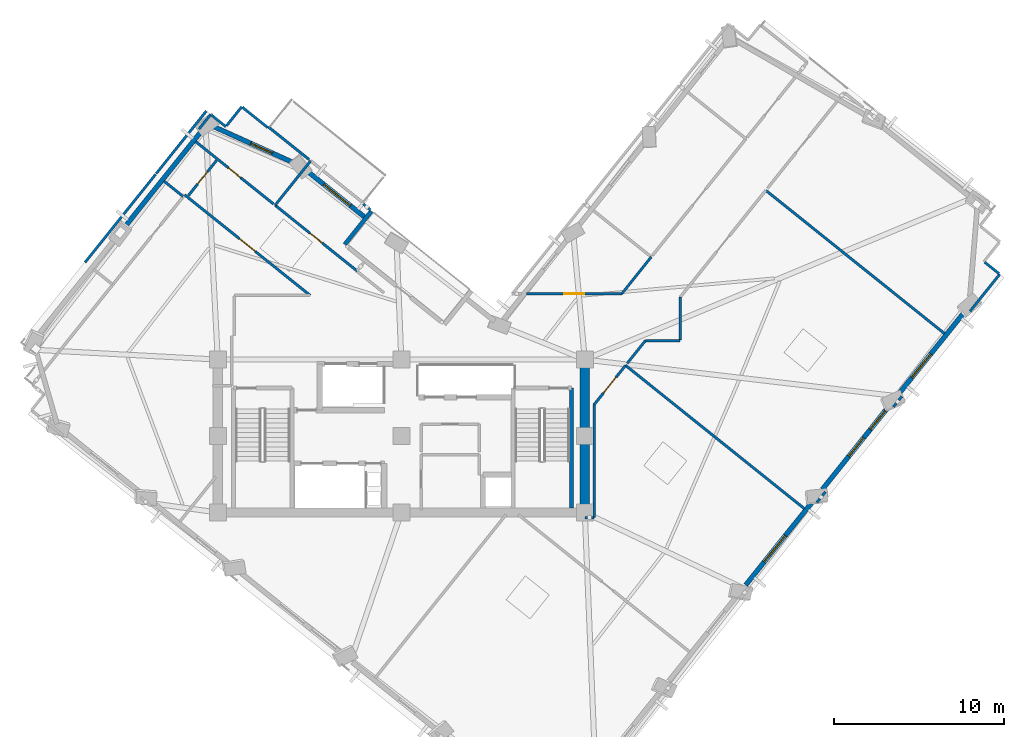
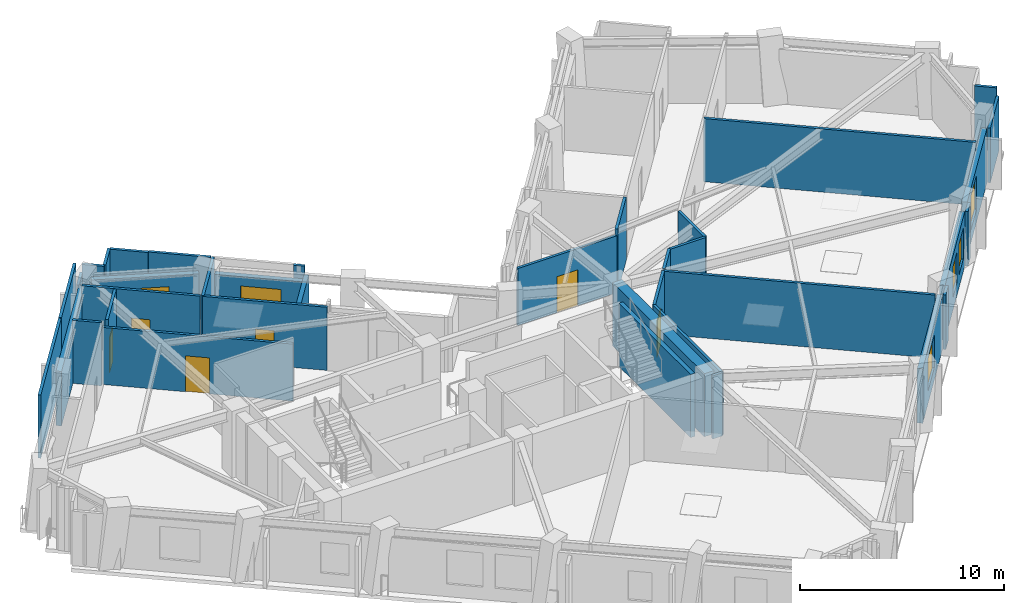
# One storey, part 6 of 10: 37 walls, 6 doors, 6 windows, 12 openings.
"""IFC4 building model written with IfcOpenShell, lengths in metres."""

from ifc_helpers import new_model, si_unit, direction, frame, frame_2d, origin, place, context, subcontext, project, spatial, rectangle, extrude, material, layer, layer_set, type_object, element, fill, save


model = new_model("IFC4")

# Units and contexts
model_context = context("Model", 3, precision=1e-05, world=origin(), true_north=direction((0.0, 1.0)))
body_context = subcontext(model_context, "Body", "Model", "MODEL_VIEW")
ifc_project = project(units=[si_unit("LENGTHUNIT", "METRE"), si_unit("AREAUNIT", "SQUARE_METRE"), si_unit("VOLUMEUNIT", "CUBIC_METRE"), si_unit("PLANEANGLEUNIT", "RADIAN"), si_unit("MASSUNIT", "GRAM", prefix="KILO")], contexts=[model_context])

# Site, building, storey
site_placement = place(None, origin())
site = spatial("IfcSite", under=ifc_project, at=site_placement, CompositionType="ELEMENT")
building_placement = place(site_placement, origin())
building = spatial("IfcBuilding", under=site, at=building_placement, Name="Gaonmaruhae Medical Tower", CompositionType="ELEMENT")
storey_placement = place(building_placement, frame((0.0, 0.0, 243.199951171875)))
storey = spatial("IfcBuildingStorey", under=building, at=storey_placement, Name="L58", CompositionType="ELEMENT", Elevation=243.199951171875)

# Walls
ifc_material_1 = material(Name="Concrete C50/60", Category="concrete")
ifc_layer_1 = layer(ifc_material_1, 0.550048828125)
ifc_layer_set_1 = layer_set([ifc_layer_1], Name="Concrete C50/60")
wall_type_1 = type_object("IfcWallType", Name="CW-550 Mid-High Core Shear Wall", PredefinedType="SHEAR", material=ifc_layer_set_1)
wall_1_placement = place(storey_placement, frame((35.60009765625, 7.800048828125, 0.0), z_axis=(0.0, 0.0, 1.0), x_axis=(0.0, 1.0, 0.0)))
element("IfcWall", 1, at=wall_1_placement, inside=storey, type_object=wall_type_1, Name="L58 Core Shear Wall CSW-E1", PredefinedType="SHEAR", context=body_context, shape_type="SweptSolid", body=[
    extrude(rectangle(XDim=9.0, YDim=0.550048828125, at=frame_2d((4.5, 0.0))), origin(), (0.0, 0.0, 1.0), 3.780029296875),
])
ifc_material_2 = material(Name="Precast concrete C45/55", Category="concrete")
ifc_layer_2 = layer(ifc_material_2, 0.239990234375)
ifc_layer_set_2 = layer_set([ifc_layer_2], Name="Precast concrete C45/55")
wall_type_2 = type_object("IfcWallType", Name="EW-240 Ribbon & Shelter Insulated Precast Wall", PredefinedType="SOLIDWALL", material=ifc_layer_set_2)
wall_2_placement = place(storey_placement, frame((23.03466796875, 25.525146484375, 0.0), z_axis=(0.0, 0.0, 1.0), x_axis=(-0.625302241823, -0.780382666626, 0.0)))
element("IfcWall", 2, at=wall_2_placement, inside=storey, type_object=wall_type_2, Name="L58 Recessed Terrace Enclosure Wall TERR", PredefinedType="SOLIDWALL", context=body_context, shape_type="SweptSolid", body=[
    extrude(rectangle(XDim=2.5, YDim=0.239990234375, at=frame_2d((1.25, 0.0))), origin(), (0.0, 0.0, 1.0), 3.26513671875),
])

# Wall, opening, window
ifc_layer_3 = layer(ifc_material_2, 0.280029296875)
ifc_layer_set_3 = layer_set([ifc_layer_3], Name="Precast concrete C45/55")
wall_type_3 = type_object("IfcWallType", Name="EW-280 Upper Precast Masonry-Frame Facade Wall", PredefinedType="SOLIDWALL", material=ifc_layer_set_3)
wall_3_placement = place(storey_placement, frame((49.0810546875, 8.53759765625, 0.0), z_axis=(0.0, 0.0, 1.0), x_axis=(-0.625214850617, -0.780452683107, 0.0)))
wall_3 = element("IfcWall", 3, at=wall_3_placement, inside=storey, type_object=wall_type_3, Name="L58 Precast Masonry-Frame Wall S03-S04", PredefinedType="SOLIDWALL", context=body_context, shape_type="SweptSolid", body=[
    extrude(rectangle(XDim=6.413330078125, YDim=0.280029296875, at=frame_2d((3.20654296875, 0.0))), origin(), (0.0, 0.0, 1.0), 3.26513671875),
])
opening_1_placement = place(wall_3_placement, frame((2.683349609375, 0.0, 0.75)))
opening_1 = element("IfcOpeningElement", 4, at=opening_1_placement, cuts=wall_3, Name="Opening WN-02", PredefinedType="OPENING", context=body_context, shape_type="SweptSolid", body=[
    extrude(rectangle(XDim=2.0, YDim=1.949951171875, at=frame_2d((1.0, 0.97509765625))), frame((0.0, 0.14990234375, 0.0), z_axis=(0.0, -1.0, 0.0), x_axis=(1.0, 0.0, 0.0)), (0.0, 0.0, 1.0), 0.300048828125),
])
ifc_material_3 = material(Name="Anodised aluminium and Low-E double glazing", Category="aluminium")
window_type_1 = type_object("IfcWindowType", Name="WN-02 Double-Bed Ward Punched Window 2000x1950", PartitioningType="SINGLE_PANEL", PredefinedType="WINDOW", material=ifc_material_3)
window_1_placement = place(opening_1_placement, origin())
window_1 = element("IfcWindow", 5, at=window_1_placement, inside=storey, type_object=window_type_1, Name="L58 Modular Facade Window S03", OverallHeight=1.949951171875, OverallWidth=2.0, PartitioningType="SINGLE_PANEL", PredefinedType="WINDOW", context=body_context, shape_type="SweptSolid", body=[
    extrude(rectangle(XDim=2.0, YDim=1.949951171875, at=frame_2d((1.0, 0.97509765625))), frame((0.0, 0.030029296875, 0.0), z_axis=(0.0, -1.0, 0.0), x_axis=(1.0, 0.0, 0.0)), (0.0, 0.0, 1.0), 0.06005859375),
])
fill(opening_1, window_1)

# Wall, openings, windows
wall_4_placement = place(storey_placement, frame((53.58349609375, 14.156982421875, 0.0), z_axis=(0.0, 0.0, 1.0), x_axis=(-0.625275753654, -0.780403890234, 0.0)))
wall_4 = element("IfcWall", 6, at=wall_4_placement, inside=storey, type_object=wall_type_3, Name="L58 Precast Masonry-Frame Wall S04-S05", PredefinedType="SOLIDWALL", context=body_context, shape_type="SweptSolid", body=[
    extrude(rectangle(XDim=6.406982421875, YDim=0.280029296875, at=frame_2d((3.20361328125, 0.0))), origin(), (0.0, 0.0, 1.0), 3.26513671875),
])
opening_2_placement = place(wall_4_placement, frame((2.50390625, 0.0, 0.75)))
opening_2 = element("IfcOpeningElement", 7, at=opening_2_placement, cuts=wall_4, Name="Opening WN-03", PredefinedType="OPENING", context=body_context, shape_type="SweptSolid", body=[
    extrude(rectangle(XDim=1.39990234375, YDim=1.85009765625, at=frame_2d((0.699951171875, 0.925048828125))), frame((0.0, 0.14990234375, 0.0), z_axis=(0.0, -1.0, 0.0), x_axis=(1.0, 0.0, 0.0)), (0.0, 0.0, 1.0), 0.300048828125),
])
opening_3_placement = place(wall_4_placement, frame((0.4873046875, 0.0, 0.75)))
opening_3 = element("IfcOpeningElement", 8, at=opening_3_placement, cuts=wall_4, Name="Opening WN-03", PredefinedType="OPENING", context=body_context, shape_type="SweptSolid", body=[
    extrude(rectangle(XDim=1.39990234375, YDim=1.85009765625, at=frame_2d((0.699951171875, 0.925048828125))), frame((0.0, 0.14990234375, 0.0), z_axis=(0.0, -1.0, 0.0), x_axis=(1.0, 0.0, 0.0)), (0.0, 0.0, 1.0), 0.300048828125),
])
window_type_2 = type_object("IfcWindowType", Name="WN-03 Isolation Ward Punched Window 1400x1850", PartitioningType="SINGLE_PANEL", PredefinedType="WINDOW", material=ifc_material_3)
window_2_placement = place(opening_2_placement, origin())
window_2 = element("IfcWindow", 9, at=window_2_placement, inside=storey, type_object=window_type_2, Name="L58 Modular Facade Window S04", OverallHeight=1.85009765625, OverallWidth=1.39990234375, PartitioningType="SINGLE_PANEL", PredefinedType="WINDOW", context=body_context, shape_type="SweptSolid", body=[
    extrude(rectangle(XDim=1.39990234375, YDim=1.85009765625, at=frame_2d((0.699951171875, 0.925048828125))), frame((0.0, 0.030029296875, 0.0), z_axis=(0.0, -1.0, 0.0), x_axis=(1.0, 0.0, 0.0)), (0.0, 0.0, 1.0), 0.06005859375),
])
fill(opening_2, window_2)
window_3_placement = place(opening_3_placement, origin())
window_3 = element("IfcWindow", 10, at=window_3_placement, inside=storey, type_object=window_type_2, Name="L58 Modular Facade Window S04B", OverallHeight=1.85009765625, OverallWidth=1.39990234375, PartitioningType="SINGLE_PANEL", PredefinedType="WINDOW", context=body_context, shape_type="SweptSolid", body=[
    extrude(rectangle(XDim=1.39990234375, YDim=1.85009765625, at=frame_2d((0.699951171875, 0.925048828125))), frame((0.0, 0.030029296875, 0.0), z_axis=(0.0, -1.0, 0.0), x_axis=(1.0, 0.0, 0.0)), (0.0, 0.0, 1.0), 0.06005859375),
])
fill(opening_3, window_3)

# Wall, opening, window
wall_5_placement = place(storey_placement, frame((58.09130859375, 19.783935546875, 0.0), z_axis=(0.0, 0.0, 1.0), x_axis=(-0.625260807623, -0.780415865069, 0.0)))
wall_5 = element("IfcWall", 11, at=wall_5_placement, inside=storey, type_object=wall_type_3, Name="L58 Precast Masonry-Frame Wall S05-S06", PredefinedType="SOLIDWALL", context=body_context, shape_type="SweptSolid", body=[
    extrude(rectangle(XDim=6.41845703125, YDim=0.280029296875, at=frame_2d((3.209228515625, 0.0))), origin(), (0.0, 0.0, 1.0), 3.26513671875),
])
opening_4_placement = place(wall_5_placement, frame((3.392822265625, 0.0, 0.75)))
opening_4 = element("IfcOpeningElement", 12, at=opening_4_placement, cuts=wall_5, Name="Opening WN-04", PredefinedType="OPENING", context=body_context, shape_type="SweptSolid", body=[
    extrude(rectangle(XDim=1.800048828125, YDim=2.050048828125, at=frame_2d((0.89990234375, 1.02490234375))), frame((0.0, 0.14990234375, 0.0), z_axis=(0.0, -1.0, 0.0), x_axis=(1.0, 0.0, 0.0)), (0.0, 0.0, 1.0), 0.300048828125),
])
window_type_3 = type_object("IfcWindowType", Name="WN-04 Clinic & Consult Punched Window 1800x2050", PartitioningType="SINGLE_PANEL", PredefinedType="WINDOW", material=ifc_material_3)
window_4_placement = place(opening_4_placement, origin())
window_4 = element("IfcWindow", 13, at=window_4_placement, inside=storey, type_object=window_type_3, Name="L58 Modular Facade Window S05", OverallHeight=2.050048828125, OverallWidth=1.800048828125, PartitioningType="SINGLE_PANEL", PredefinedType="WINDOW", context=body_context, shape_type="SweptSolid", body=[
    extrude(rectangle(XDim=1.800048828125, YDim=2.050048828125, at=frame_2d((0.89990234375, 1.02490234375))), frame((0.0, 0.030029296875, 0.0), z_axis=(0.0, -1.0, 0.0), x_axis=(1.0, 0.0, 0.0)), (0.0, 0.0, 1.0), 0.06005859375),
])
fill(opening_4, window_4)

wall_6_placement = place(storey_placement, frame((19.2314453125, 27.91845703125, 0.0), z_axis=(0.0, 0.0, 1.0), x_axis=(0.780450627947, -0.625217416054, 0.0)))
wall_6 = element("IfcWall", 14, at=wall_6_placement, inside=storey, type_object=wall_type_3, Name="L58 Precast Masonry-Frame Wall NE01-NE02", PredefinedType="SOLIDWALL", context=body_context, shape_type="SweptSolid", body=[
    extrude(rectangle(XDim=4.444580078125, YDim=0.280029296875, at=frame_2d((2.22216796875, 0.0))), origin(), (0.0, 0.0, 1.0), 3.26513671875),
])
opening_5_placement = place(wall_6_placement, frame((1.3017578125, 0.0, 0.75)))
opening_5 = element("IfcOpeningElement", 15, at=opening_5_placement, cuts=wall_6, Name="Opening WN-02", PredefinedType="OPENING", context=body_context, shape_type="SweptSolid", body=[
    extrude(rectangle(XDim=2.0, YDim=1.949951171875, at=frame_2d((1.0, 0.97509765625))), frame((0.0, 0.14990234375, 0.0), z_axis=(0.0, -1.0, 0.0), x_axis=(1.0, 0.0, 0.0)), (0.0, 0.0, 1.0), 0.300048828125),
])
window_5_placement = place(opening_5_placement, origin())
window_5 = element("IfcWindow", 16, at=window_5_placement, inside=storey, type_object=window_type_1, Name="L58 Modular Facade Window NE01", OverallHeight=1.949951171875, OverallWidth=2.0, PartitioningType="SINGLE_PANEL", PredefinedType="WINDOW", context=body_context, shape_type="SweptSolid", body=[
    extrude(rectangle(XDim=2.0, YDim=1.949951171875, at=frame_2d((1.0, 0.97509765625))), frame((0.0, 0.030029296875, 0.0), z_axis=(0.0, -1.0, 0.0), x_axis=(1.0, 0.0, 0.0)), (0.0, 0.0, 1.0), 0.06005859375),
])
fill(opening_5, window_5)

wall_7_placement = place(storey_placement, frame((13.737548828125, 30.520263671875, 0.0), z_axis=(0.0, 0.0, 1.0), x_axis=(0.911272519656, -0.411803830629, 0.0)))
wall_7 = element("IfcWall", 17, at=wall_7_placement, inside=storey, type_object=wall_type_3, Name="L58 Precast Masonry-Frame Wall NE02-N01", PredefinedType="SOLIDWALL", context=body_context, shape_type="SweptSolid", body=[
    extrude(rectangle(XDim=5.302490234375, YDim=0.280029296875, at=frame_2d((2.6513671875, 0.0))), origin(), (0.0, 0.0, 1.0), 3.26513671875),
])
opening_6_placement = place(wall_7_placement, frame((2.419677734375, 0.0, 0.75)))
opening_6 = element("IfcOpeningElement", 18, at=opening_6_placement, cuts=wall_7, Name="Opening WN-03", PredefinedType="OPENING", context=body_context, shape_type="SweptSolid", body=[
    extrude(rectangle(XDim=1.39990234375, YDim=1.85009765625, at=frame_2d((0.699951171875, 0.925048828125))), frame((0.0, 0.14990234375, 0.0), z_axis=(0.0, -1.0, 0.0), x_axis=(1.0, 0.0, 0.0)), (0.0, 0.0, 1.0), 0.300048828125),
])
window_6_placement = place(opening_6_placement, origin())
window_6 = element("IfcWindow", 19, at=window_6_placement, inside=storey, type_object=window_type_2, Name="L58 Modular Facade Window NE02", OverallHeight=1.85009765625, OverallWidth=1.39990234375, PartitioningType="SINGLE_PANEL", PredefinedType="WINDOW", context=body_context, shape_type="SweptSolid", body=[
    extrude(rectangle(XDim=1.39990234375, YDim=1.85009765625, at=frame_2d((0.699951171875, 0.925048828125))), frame((0.0, 0.030029296875, 0.0), z_axis=(0.0, -1.0, 0.0), x_axis=(1.0, 0.0, 0.0)), (0.0, 0.0, 1.0), 0.06005859375),
])
fill(opening_6, window_6)

# Wall
wall_8_placement = place(storey_placement, frame((8.393798828125, 24.445556640625, 0.0), z_axis=(0.0, 0.0, 1.0), x_axis=(0.625251576487, 0.780423260866, 0.0)))
element("IfcWall", 20, at=wall_8_placement, inside=storey, type_object=wall_type_3, Name="L58 Precast Masonry-Frame Wall N01-N02", PredefinedType="SOLIDWALL", context=body_context, shape_type="SweptSolid", body=[
    extrude(rectangle(XDim=7.43408203125, YDim=0.280029296875, at=frame_2d((3.717041015625, 0.0))), origin(), (0.0, 0.0, 1.0), 3.26513671875),
])

# Wall, opening, door
ifc_material_4 = material(Name="Gypsum board partition", Category="gypsum")
ifc_layer_4 = layer(ifc_material_4, 0.14990234375)
ifc_layer_set_4 = layer_set([ifc_layer_4], Name="Gypsum board partition")
wall_type_4 = type_object("IfcWallType", Name="PW-150 Rated Clinical Corridor Partition", PredefinedType="PARTITIONING", material=ifc_layer_set_4)
wall_9_placement = place(storey_placement, frame((36.14990234375, 14.14794921875, 0.0), z_axis=(0.0, 0.0, 1.0), x_axis=(0.625278496927, 0.780401692259, 0.0)))
wall_9 = element("IfcWall", 21, at=wall_9_placement, inside=storey, type_object=wall_type_4, Name="L58 Interior Partition L58-SUP02-17", PredefinedType="PARTITIONING", context=body_context, shape_type="SweptSolid", body=[
    extrude(rectangle(XDim=2.958740234375, YDim=0.14990234375, at=frame_2d((1.4794921875, 0.0))), origin(), (0.0, 0.0, 1.0), 3.780029296875),
])
opening_7_placement = place(wall_9_placement, frame((0.87939453125, 0.0, 0.0)))
opening_7 = element("IfcOpeningElement", 22, at=opening_7_placement, cuts=wall_9, Name="Opening CD-02", PredefinedType="OPENING", context=body_context, shape_type="SweptSolid", body=[
    extrude(rectangle(XDim=1.199951171875, YDim=2.14990234375, at=frame_2d((0.60009765625, 1.074951171875))), frame((0.0, 0.0849609375, 0.0), z_axis=(0.0, -1.0, 0.0), x_axis=(1.0, 0.0, 0.0)), (0.0, 0.0, 1.0), 0.169921875),
])
ifc_material_5 = material(Name="Antimicrobial laminate timber fire door", Category="wood")
door_type_1 = type_object("IfcDoorType", Name="CD-02 Clinical Treatment & Procedure Door 1200x2150", OperationType="NOTDEFINED", PredefinedType="DOOR", material=ifc_material_5)
door_1_placement = place(opening_7_placement, origin())
door_1 = element("IfcDoor", 23, at=door_1_placement, inside=storey, type_object=door_type_1, Name="L58 Clinical Biomedical Charting Office Door", OperationType="SINGLE_SWING_RIGHT", OverallHeight=2.14990234375, OverallWidth=1.199951171875, PredefinedType="DOOR", context=body_context, shape_type="SweptSolid", body=[
    extrude(rectangle(XDim=1.199951171875, YDim=2.14990234375, at=frame_2d((0.60009765625, 1.074951171875))), frame((0.0, 0.02490234375, 0.0), z_axis=(0.0, -1.0, 0.0), x_axis=(1.0, 0.0, 0.0)), (0.0, 0.0, 1.0), 0.050048828125),
])
fill(opening_7, door_1)

# Walls
wall_10_placement = place(storey_placement, frame((38.0, 16.45703125, 0.0), z_axis=(0.0, 0.0, 1.0), x_axis=(0.78043410056, -0.625238046414, 0.0)))
element("IfcWall", 24, at=wall_10_placement, inside=storey, type_object=wall_type_4, Name="L58 Interior Partition L58-SUP02-18", PredefinedType="PARTITIONING", context=body_context, shape_type="SweptSolid", body=[
    extrude(rectangle(XDim=13.484619140625, YDim=0.14990234375, at=frame_2d((6.7421875, 0.0))), origin(), (0.0, 0.0, 1.0), 3.780029296875),
])
wall_11_placement = place(storey_placement, frame((35.60009765625, 7.5, 0.0), z_axis=(0.0, 0.0, 1.0), x_axis=(1.0, 0.0, 0.0)))
element("IfcWall", 25, at=wall_11_placement, inside=storey, type_object=wall_type_4, Name="L58 Interior Partition L58-SUP02-20", PredefinedType="PARTITIONING", context=body_context, shape_type="SweptSolid", body=[
    extrude(rectangle(XDim=0.5498046875, YDim=0.14990234375, at=frame_2d((0.27490234375, 0.0))), origin(), (0.0, 0.0, 1.0), 3.780029296875),
])
wall_12_placement = place(storey_placement, frame((36.14990234375, 7.5, 0.0), z_axis=(0.0, 0.0, 1.0), x_axis=(0.0, 1.0, 0.0)))
element("IfcWall", 26, at=wall_12_placement, inside=storey, type_object=wall_type_4, Name="L58 Interior Partition L58-SUP02-21", PredefinedType="PARTITIONING", context=body_context, shape_type="SweptSolid", body=[
    extrude(rectangle(XDim=6.64794921875, YDim=0.14990234375, at=frame_2d((3.323974609375, 0.0))), origin(), (0.0, 0.0, 1.0), 3.780029296875),
])
wall_13_placement = place(storey_placement, frame((41.22998046875, 17.949951171875, 0.0), z_axis=(0.0, 0.0, 1.0), x_axis=(0.0, 1.0, 0.0)))
element("IfcWall", 27, at=wall_13_placement, inside=storey, type_object=wall_type_4, Name="L58 Interior Partition L58-SUP03-22", PredefinedType="PARTITIONING", context=body_context, shape_type="SweptSolid", body=[
    extrude(rectangle(XDim=2.5390625, YDim=0.14990234375, at=frame_2d((1.26953125, 0.0))), origin(), (0.0, 0.0, 1.0), 3.780029296875),
])
wall_14_placement = place(storey_placement, frame((46.2529296875, 26.759033203125, 0.0), z_axis=(0.0, 0.0, 1.0), x_axis=(0.780405841244, -0.6252733186, 0.0)))
element("IfcWall", 28, at=wall_14_placement, inside=storey, type_object=wall_type_4, Name="L58 Interior Partition L58-SUP03-24", PredefinedType="PARTITIONING", context=body_context, shape_type="SweptSolid", body=[
    extrude(rectangle(XDim=13.485595703125, YDim=0.14990234375, at=frame_2d((6.74267578125, 0.0))), origin(), (0.0, 0.0, 1.0), 3.780029296875),
])
wall_15_placement = place(storey_placement, frame((54.257080078125, 14.631103515625, 0.0), z_axis=(0.0, 0.0, 1.0), x_axis=(-0.624996262156, -0.780627742456, 0.0)))
element("IfcWall", 29, at=wall_15_placement, inside=storey, type_object=wall_type_4, Name="L58 Interior Partition L58-SUP03-25", PredefinedType="PARTITIONING", context=body_context, shape_type="SweptSolid", body=[
    extrude(rectangle(XDim=0.79052734375, YDim=0.14990234375, at=frame_2d((0.395263671875, 0.0))), origin(), (0.0, 0.0, 1.0), 3.26513671875),
])
wall_16_placement = place(storey_placement, frame((49.757080078125, 9.012939453125, 0.0), z_axis=(0.0, 0.0, 1.0), x_axis=(-0.625445485624, -0.780267867154, 0.0)))
element("IfcWall", 30, at=wall_16_placement, inside=storey, type_object=wall_type_4, Name="L58 Interior Partition L58-SUP03-26", PredefinedType="PARTITIONING", context=body_context, shape_type="SweptSolid", body=[
    extrude(rectangle(XDim=0.793212890625, YDim=0.14990234375, at=frame_2d((0.396484375, 0.0))), origin(), (0.0, 0.0, 1.0), 3.26513671875),
])
wall_17_placement = place(storey_placement, frame((38.10009765625, 16.58203125, 0.0), z_axis=(0.0, 0.0, 1.0), x_axis=(0.625302686787, 0.780382310087, 0.0)))
element("IfcWall", 31, at=wall_17_placement, inside=storey, type_object=wall_type_4, Name="L58 Interior Partition L58-SUP03-27", PredefinedType="PARTITIONING", context=body_context, shape_type="SweptSolid", body=[
    extrude(rectangle(XDim=1.71435546875, YDim=0.14990234375, at=frame_2d((0.857177734375, 0.0))), origin(), (0.0, 0.0, 1.0), 3.780029296875),
])
wall_18_placement = place(storey_placement, frame((39.172119140625, 17.919921875, 0.0), z_axis=(0.0, 0.0, 1.0), x_axis=(1.0, 0.0, 0.0)))
element("IfcWall", 32, at=wall_18_placement, inside=storey, type_object=wall_type_4, Name="L58 Interior Partition L58-SUP03-28", PredefinedType="PARTITIONING", context=body_context, shape_type="SweptSolid", body=[
    extrude(rectangle(XDim=2.03076171875, YDim=0.14990234375, at=frame_2d((1.015380859375, 0.0))), origin(), (0.0, 0.0, 1.0), 3.780029296875),
])
wall_19_placement = place(storey_placement, frame((60.02294921875, 21.826904296875, 0.0), z_axis=(0.0, 0.0, 1.0), x_axis=(-0.625204910984, -0.780460645568, 0.0)))
element("IfcWall", 33, at=wall_19_placement, inside=storey, type_object=wall_type_4, Name="L58 Interior Partition L58-SUP04-29", PredefinedType="PARTITIONING", context=body_context, shape_type="SweptSolid", body=[
    extrude(rectangle(XDim=2.80224609375, YDim=0.14990234375, at=frame_2d((1.401123046875, 0.0))), origin(), (0.0, 0.0, 1.0), 3.26513671875),
])
wall_20_placement = place(storey_placement, frame((59.14111328125, 22.532958984375, 0.0), z_axis=(0.0, 0.0, 1.0), x_axis=(0.780493675326, -0.625163676789, 0.0)))
element("IfcWall", 34, at=wall_20_placement, inside=storey, type_object=wall_type_4, Name="L58 Interior Partition L58-SUP04-38", PredefinedType="PARTITIONING", context=body_context, shape_type="SweptSolid", body=[
    extrude(rectangle(XDim=1.079833984375, YDim=0.14990234375, at=frame_2d((0.5400390625, 0.0))), origin(), (0.0, 0.0, 1.0), 3.780029296875),
])

# Wall, opening, door
wall_21_placement = place(storey_placement, frame((12.052978515625, 26.493896484375, 0.0), z_axis=(0.0, 0.0, 1.0), x_axis=(0.780448101589, -0.62522056966, 0.0)))
wall_21 = element("IfcWall", 35, at=wall_21_placement, inside=storey, type_object=wall_type_4, Name="L58 Interior Partition L58-WOF06-52", PredefinedType="PARTITIONING", context=body_context, shape_type="SweptSolid", body=[
    extrude(rectangle(XDim=9.458740234375, YDim=0.14990234375, at=frame_2d((4.7294921875, 0.0))), origin(), (0.0, 0.0, 1.0), 3.4150390625),
])
opening_8_placement = place(wall_21_placement, frame((4.12939453125, 0.0, 0.0)))
opening_8 = element("IfcOpeningElement", 36, at=opening_8_placement, cuts=wall_21, Name="Opening CD-02", PredefinedType="OPENING", context=body_context, shape_type="SweptSolid", body=[
    extrude(rectangle(XDim=1.199951171875, YDim=2.14990234375, at=frame_2d((0.60009765625, 1.074951171875))), frame((0.0, 0.0849609375, 0.0), z_axis=(0.0, -1.0, 0.0), x_axis=(1.0, 0.0, 0.0)), (0.0, 0.0, 1.0), 0.169921875),
])
door_2_placement = place(opening_8_placement, origin())
door_2 = element("IfcDoor", 37, at=door_2_placement, inside=storey, type_object=door_type_1, Name="L58 Ward Physician Reporting Office Door", OperationType="SINGLE_SWING_RIGHT", OverallHeight=2.14990234375, OverallWidth=1.199951171875, PredefinedType="DOOR", context=body_context, shape_type="SweptSolid", body=[
    extrude(rectangle(XDim=1.199951171875, YDim=2.14990234375, at=frame_2d((0.60009765625, 1.074951171875))), frame((0.0, 0.02490234375, 0.0), z_axis=(0.0, -1.0, 0.0), x_axis=(1.0, 0.0, 0.0)), (0.0, 0.0, 1.0), 0.050048828125),
])
fill(opening_8, door_2)

# Wall
wall_22_placement = place(storey_placement, frame((39.512939453125, 22.841064453125, 0.0), z_axis=(0.0, 0.0, 1.0), x_axis=(-0.625146560875, -0.780507384607, 0.0)))
element("IfcWall", 38, at=wall_22_placement, inside=storey, type_object=wall_type_4, Name="L58 Interior Partition L58-IE01-56", PredefinedType="PARTITIONING", context=body_context, shape_type="SweptSolid", body=[
    extrude(rectangle(XDim=2.768798828125, YDim=0.14990234375, at=frame_2d((1.38427734375, 0.0))), origin(), (0.0, 0.0, 1.0), 3.780029296875),
])

# Wall, opening, door
wall_23_placement = place(storey_placement, frame((37.781982421875, 20.679931640625, 0.0), z_axis=(0.0, 0.0, 1.0), x_axis=(-1.0, 0.0, 0.0)))
wall_23 = element("IfcWall", 39, at=wall_23_placement, inside=storey, type_object=wall_type_4, Name="L58 Interior Partition L58-IE01-57", PredefinedType="PARTITIONING", context=body_context, shape_type="SweptSolid", body=[
    extrude(rectangle(XDim=5.60595703125, YDim=0.14990234375, at=frame_2d((2.802978515625, 0.0))), origin(), (0.0, 0.0, 1.0), 3.4150390625),
])
opening_9_placement = place(wall_23_placement, frame((2.202880859375, 0.0, 0.0)))
opening_9 = element("IfcOpeningElement", 40, at=opening_9_placement, cuts=wall_23, Name="Opening CD-02", PredefinedType="OPENING", context=body_context, shape_type="SweptSolid", body=[
    extrude(rectangle(XDim=1.199951171875, YDim=2.14990234375, at=frame_2d((0.60009765625, 1.074951171875))), frame((0.0, 0.0849609375, 0.0), z_axis=(0.0, -1.0, 0.0), x_axis=(1.0, 0.0, 0.0)), (0.0, 0.0, 1.0), 0.169921875),
])
door_3_placement = place(opening_9_placement, origin())
door_3 = element("IfcDoor", 41, at=door_3_placement, inside=storey, type_object=door_type_1, Name="L58 Central Clinical Nurse Station Door", OperationType="SINGLE_SWING_LEFT", OverallHeight=2.14990234375, OverallWidth=1.199951171875, PredefinedType="DOOR", context=body_context, shape_type="SweptSolid", body=[
    extrude(rectangle(XDim=1.199951171875, YDim=2.14990234375, at=frame_2d((0.60009765625, 1.074951171875))), frame((0.0, 0.02490234375, 0.0), z_axis=(0.0, -1.0, 0.0), x_axis=(1.0, 0.0, 0.0)), (0.0, 0.0, 1.0), 0.050048828125),
])
fill(opening_9, door_3)

wall_24_placement = place(storey_placement, frame((22.197021484375, 22.01904296875, 0.0), z_axis=(0.0, 0.0, 1.0), x_axis=(-0.780425383732, 0.625248926769, 0.0)))
wall_24 = element("IfcWall", 42, at=wall_24_placement, inside=storey, type_object=wall_type_4, Name="L58 Interior Partition L58-IN02-71", PredefinedType="PARTITIONING", context=body_context, shape_type="SweptSolid", body=[
    extrude(rectangle(XDim=6.179931640625, YDim=0.14990234375, at=frame_2d((3.08984375, 0.0))), origin(), (0.0, 0.0, 1.0), 3.780029296875),
])
opening_10_placement = place(wall_24_placement, frame((2.6298828125, 0.0, 0.0)))
opening_10 = element("IfcOpeningElement", 43, at=opening_10_placement, cuts=wall_24, Name="Opening UD-01", PredefinedType="OPENING", context=body_context, shape_type="SweptSolid", body=[
    extrude(rectangle(XDim=0.919921875, YDim=2.10009765625, at=frame_2d((0.4599609375, 1.050048828125))), frame((0.0, 0.0849609375, 0.0), z_axis=(0.0, -1.0, 0.0), x_axis=(1.0, 0.0, 0.0)), (0.0, 0.0, 1.0), 0.169921875),
])
ifc_material_6 = material(Name="Powder-coated steel utility door", Category="steel")
door_type_2 = type_object("IfcDoorType", Name="UD-01 Toilet, Utility & Housekeeping Door 920x2100", OperationType="NOTDEFINED", PredefinedType="DOOR", material=ifc_material_6)
door_4_placement = place(opening_10_placement, origin())
door_4 = element("IfcDoor", 44, at=door_4_placement, inside=storey, type_object=door_type_2, Name="L58 Ward Nutrition Pantry Door", OperationType="SINGLE_SWING_LEFT", OverallHeight=2.10009765625, OverallWidth=0.919921875, PredefinedType="DOOR", context=body_context, shape_type="SweptSolid", body=[
    extrude(rectangle(XDim=0.919921875, YDim=2.10009765625, at=frame_2d((0.4599609375, 1.050048828125))), frame((0.0, 0.02490234375, 0.0), z_axis=(0.0, -1.0, 0.0), x_axis=(1.0, 0.0, 0.0)), (0.0, 0.0, 1.0), 0.050048828125),
])
fill(opening_10, door_4)

# Walls
wall_25_placement = place(storey_placement, frame((17.3740234375, 25.883056640625, 0.0), z_axis=(0.0, 0.0, 1.0), x_axis=(0.625379164117, 0.780321024379, 0.0)))
element("IfcWall", 45, at=wall_25_placement, inside=storey, type_object=wall_type_4, Name="L58 Interior Partition L58-IN02-72", PredefinedType="PARTITIONING", context=body_context, shape_type="SweptSolid", body=[
    extrude(rectangle(XDim=3.349853515625, YDim=0.14990234375, at=frame_2d((1.6748046875, 0.0))), origin(), (0.0, 0.0, 1.0), 3.780029296875),
])
wall_26_placement = place(storey_placement, frame((22.56005859375, 25.95703125, 0.0), z_axis=(0.0, 0.0, 1.0), x_axis=(0.77962036012, -0.626252420424, 0.0)))
element("IfcWall", 46, at=wall_26_placement, inside=storey, type_object=wall_type_4, Name="L58 Interior Partition L58-IN02-74", PredefinedType="PARTITIONING", context=body_context, shape_type="SweptSolid", body=[
    extrude(rectangle(XDim=0.553955078125, YDim=0.14990234375, at=frame_2d((0.27685546875, 0.0))), origin(), (0.0, 0.0, 1.0), 3.780029296875),
])

# Wall, opening, door
wall_27_placement = place(storey_placement, frame((17.281005859375, 25.9580078125, 0.0), z_axis=(0.0, 0.0, 1.0), x_axis=(-0.780442920932, 0.625227036497, 0.0)))
wall_27 = element("IfcWall", 47, at=wall_27_placement, inside=storey, type_object=wall_type_4, Name="L58 Interior Partition L58-IN03-75", PredefinedType="PARTITIONING", context=body_context, shape_type="SweptSolid", body=[
    extrude(rectangle(XDim=5.874755859375, YDim=0.14990234375, at=frame_2d((2.9375, 0.0))), origin(), (0.0, 0.0, 1.0), 3.780029296875),
])
opening_11_placement = place(wall_27_placement, frame((2.477294921875, 0.0, 0.0)))
opening_11 = element("IfcOpeningElement", 48, at=opening_11_placement, cuts=wall_27, Name="Opening UD-01", PredefinedType="OPENING", context=body_context, shape_type="SweptSolid", body=[
    extrude(rectangle(XDim=0.919921875, YDim=2.10009765625, at=frame_2d((0.4599609375, 1.050048828125))), frame((0.0, 0.0849609375, 0.0), z_axis=(0.0, -1.0, 0.0), x_axis=(1.0, 0.0, 0.0)), (0.0, 0.0, 1.0), 0.169921875),
])
door_5_placement = place(opening_11_placement, origin())
door_5 = element("IfcDoor", 49, at=door_5_placement, inside=storey, type_object=door_type_2, Name="L58 Public Visitor Toilet Door", OperationType="SINGLE_SWING_LEFT", OverallHeight=2.10009765625, OverallWidth=0.919921875, PredefinedType="DOOR", context=body_context, shape_type="SweptSolid", body=[
    extrude(rectangle(XDim=0.919921875, YDim=2.10009765625, at=frame_2d((0.4599609375, 1.050048828125))), frame((0.0, 0.02490234375, 0.0), z_axis=(0.0, -1.0, 0.0), x_axis=(1.0, 0.0, 0.0)), (0.0, 0.0, 1.0), 0.050048828125),
])
fill(opening_11, door_5)

# Walls
wall_28_placement = place(storey_placement, frame((12.89404296875, 30.365966796875, 0.0), z_axis=(0.0, 0.0, 1.0), x_axis=(0.624749042452, 0.780825610463, 0.0)))
element("IfcWall", 50, at=wall_28_placement, inside=storey, type_object=wall_type_4, Name="L58 Interior Partition L58-IN03-76", PredefinedType="PARTITIONING", context=body_context, shape_type="SweptSolid", body=[
    extrude(rectangle(XDim=1.102783203125, YDim=0.14990234375, at=frame_2d((0.55126953125, 0.0))), origin(), (0.0, 0.0, 1.0), 3.26513671875),
])
wall_29_placement = place(storey_placement, frame((13.6220703125, 31.196044921875, 0.0), z_axis=(0.0, 0.0, 1.0), x_axis=(0.780213128625, -0.625513767971, 0.0)))
element("IfcWall", 51, at=wall_29_placement, inside=storey, type_object=wall_type_4, Name="L58 Interior Partition L58-IN03-77", PredefinedType="PARTITIONING", context=body_context, shape_type="SweptSolid", body=[
    extrude(rectangle(XDim=1.090576171875, YDim=0.14990234375, at=frame_2d((0.54541015625, 0.0))), origin(), (0.0, 0.0, 1.0), 3.780029296875),
])
wall_30_placement = place(storey_placement, frame((14.50390625, 30.552978515625, 0.0), z_axis=(0.0, 0.0, 1.0), x_axis=(0.625577681326, 0.780161883603, 0.0)))
element("IfcWall", 52, at=wall_30_placement, inside=storey, type_object=wall_type_4, Name="L58 Interior Partition L58-IN03-78", PredefinedType="PARTITIONING", context=body_context, shape_type="SweptSolid", body=[
    extrude(rectangle(XDim=1.449951171875, YDim=0.14990234375, at=frame_2d((0.72509765625, 0.0))), origin(), (0.0, 0.0, 1.0), 3.780029296875),
])
wall_31_placement = place(storey_placement, frame((15.449951171875, 31.653076171875, 0.0), z_axis=(0.0, 0.0, 1.0), x_axis=(0.780282600441, -0.625427104824, 0.0)))
element("IfcWall", 53, at=wall_31_placement, inside=storey, type_object=wall_type_4, Name="L58 Interior Partition L58-IN03-79", PredefinedType="PARTITIONING", context=body_context, shape_type="SweptSolid", body=[
    extrude(rectangle(XDim=1.910888671875, YDim=0.14990234375, at=frame_2d((0.95556640625, 0.0))), origin(), (0.0, 0.0, 1.0), 3.780029296875),
])
wall_32_placement = place(storey_placement, frame((16.971923828125, 30.4970703125, 0.0), z_axis=(0.0, 0.0, 1.0), x_axis=(0.780458650179, -0.625207401876, 0.0)))
element("IfcWall", 54, at=wall_32_placement, inside=storey, type_object=wall_type_4, Name="L58 Interior Partition L58-IN03-80", PredefinedType="PARTITIONING", context=body_context, shape_type="SweptSolid", body=[
    extrude(rectangle(XDim=3.0791015625, YDim=0.14990234375, at=frame_2d((1.53955078125, 0.0))), origin(), (0.0, 0.0, 1.0), 3.780029296875),
])
wall_33_placement = place(storey_placement, frame((6.18505859375, 22.52001953125, 0.0), z_axis=(0.0, 0.0, 1.0), x_axis=(0.625277781912, 0.780402265147, 0.0)))
element("IfcWall", 55, at=wall_33_placement, inside=storey, type_object=wall_type_4, Name="L58 Interior Partition L58-RM02-81", PredefinedType="PARTITIONING", context=body_context, shape_type="SweptSolid", body=[
    extrude(rectangle(XDim=6.64013671875, YDim=0.14990234375, at=frame_2d((3.320068359375, 0.0))), origin(), (0.0, 0.0, 1.0), 3.780029296875),
])
wall_34_placement = place(storey_placement, frame((10.83203125, 27.304931640625, 0.0), z_axis=(0.0, 0.0, 1.0), x_axis=(0.780637166702, -0.624984490978, 0.0)))
element("IfcWall", 56, at=wall_34_placement, inside=storey, type_object=wall_type_4, Name="L58 Interior Partition L58-RM02-82", PredefinedType="PARTITIONING", context=body_context, shape_type="SweptSolid", body=[
    extrude(rectangle(XDim=1.43994140625, YDim=0.14990234375, at=frame_2d((0.719970703125, 0.0))), origin(), (0.0, 0.0, 1.0), 3.780029296875),
])

# Wall, opening, door
wall_35_placement = place(storey_placement, frame((13.930908203125, 28.52392578125, 0.0), z_axis=(0.0, 0.0, 1.0), x_axis=(-0.625534702832, -0.780196344232, 0.0)))
wall_35 = element("IfcWall", 57, at=wall_35_placement, inside=storey, type_object=wall_type_4, Name="L58 Interior Partition L58-RM03-84", PredefinedType="PARTITIONING", context=body_context, shape_type="SweptSolid", body=[
    extrude(rectangle(XDim=2.658203125, YDim=0.14990234375, at=frame_2d((1.3291015625, 0.0))), origin(), (0.0, 0.0, 1.0), 3.780029296875),
])
opening_12_placement = place(wall_35_placement, frame((0.869140625, 0.0, 0.0)))
opening_12 = element("IfcOpeningElement", 58, at=opening_12_placement, cuts=wall_35, Name="Opening UD-01", PredefinedType="OPENING", context=body_context, shape_type="SweptSolid", body=[
    extrude(rectangle(XDim=0.919921875, YDim=2.10009765625, at=frame_2d((0.4599609375, 1.050048828125))), frame((0.0, 0.0849609375, 0.0), z_axis=(0.0, -1.0, 0.0), x_axis=(1.0, 0.0, 0.0)), (0.0, 0.0, 1.0), 0.169921875),
])
door_6_placement = place(opening_12_placement, origin())
door_6 = element("IfcDoor", 59, at=door_6_placement, inside=storey, type_object=door_type_2, Name="L58 Biomedical Mobile Equipment Bay Door", OperationType="SINGLE_SWING_RIGHT", OverallHeight=2.10009765625, OverallWidth=0.919921875, PredefinedType="DOOR", context=body_context, shape_type="SweptSolid", body=[
    extrude(rectangle(XDim=0.919921875, YDim=2.10009765625, at=frame_2d((0.4599609375, 1.050048828125))), frame((0.0, 0.02490234375, 0.0), z_axis=(0.0, -1.0, 0.0), x_axis=(1.0, 0.0, 0.0)), (0.0, 0.0, 1.0), 0.050048828125),
])
fill(opening_12, door_6)

# Walls
wall_36_placement = place(storey_placement, frame((10.3740234375, 27.7490234375, 0.0), z_axis=(0.0, 0.0, 1.0), x_axis=(0.625168003158, 0.780490209949, 0.0)))
element("IfcWall", 60, at=wall_36_placement, inside=storey, type_object=wall_type_4, Name="L58 Interior Partition L58-RM03-85", PredefinedType="PARTITIONING", context=body_context, shape_type="SweptSolid", body=[
    extrude(rectangle(XDim=4.72021484375, YDim=0.14990234375, at=frame_2d((2.360107421875, 0.0))), origin(), (0.0, 0.0, 1.0), 3.780029296875),
])
ifc_layer_5 = layer(ifc_material_1, 0.239990234375)
ifc_layer_set_5 = layer_set([ifc_layer_5], Name="Concrete C50/60")
wall_type_5 = type_object("IfcWallType", Name="SW-240 Dogleg Stair Tight Shaft Wall", PredefinedType="SOLIDWALL", material=ifc_layer_set_5)
wall_37_placement = place(storey_placement, frame((34.830078125, 15.1201171875, 0.0), z_axis=(0.0, 0.0, 1.0), x_axis=(0.0, -1.0, 0.0)))
element("IfcWall", 61, at=wall_37_placement, inside=storey, type_object=wall_type_5, Name="L58 ST-02 Stair Shaft Wall SHW-ST-02-E", PredefinedType="SOLIDWALL", context=body_context, shape_type="SweptSolid", body=[
    extrude(rectangle(XDim=7.045166015625, YDim=0.239990234375, at=frame_2d((3.5224609375, 0.0))), origin(), (0.0, 0.0, 1.0), 3.780029296875),
])

save(model, "model.ifc")
